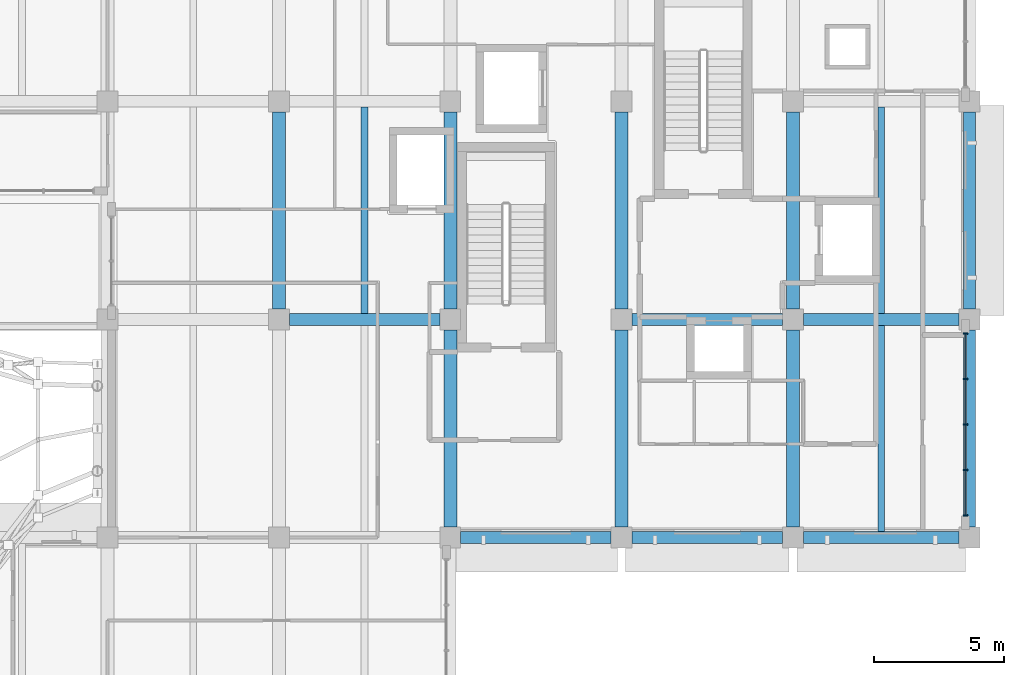
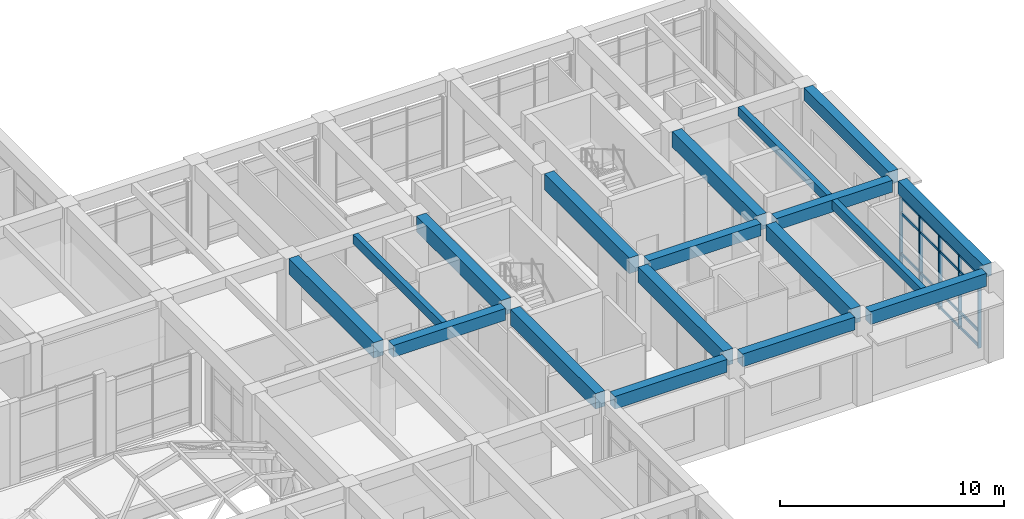
# One storey, part 28 of 79: 18 beams, 9 members, 1 element without a shape of its own.
"""IFC4 building model written with IfcOpenShell, lengths in metres."""

from ifc_helpers import new_model, si_unit, direction, frame, origin, origin_2d, place, context, subcontext, project, spatial, rectangle, extrude, material, layer, layer_set, material_profile, profile_set, type_object, element, aggregate, save


model = new_model("IFC4")

# Units and contexts
model_context = context("Model", 3, precision=1e-05, world=origin(), true_north=direction((0.0, 1.0)))
body_context = subcontext(model_context, "Body", "Model", "MODEL_VIEW")
ifc_project = project(units=[si_unit("LENGTHUNIT", "METRE"), si_unit("AREAUNIT", "SQUARE_METRE"), si_unit("VOLUMEUNIT", "CUBIC_METRE"), si_unit("PLANEANGLEUNIT", "RADIAN"), si_unit("MASSUNIT", "GRAM", prefix="KILO")], contexts=[model_context])

# Site, building, storey
site_placement = place(None, origin())
site = spatial("IfcSite", under=ifc_project, at=site_placement, CompositionType="ELEMENT")
building_placement = place(site_placement, origin())
building = spatial("IfcBuilding", under=site, at=building_placement, Name="Kolvaren Faculty of Natural Sciences", CompositionType="ELEMENT")
storey_placement = place(building_placement, frame((0.0, 0.0, 10.199951171875)))
storey = spatial("IfcBuildingStorey", under=building, at=storey_placement, Name="L02", CompositionType="ELEMENT", Elevation=10.199951171875)

# Curtain wall, members
ifc_material_1 = material(Name="Thermally broken anodised aluminium framing", Category="aluminium")
ifc_layer = layer(ifc_material_1, 0.179931640625)
ifc_layer_set = layer_set([ifc_layer], Name="Thermally broken anodised aluminium framing")
curtain_wall_type = type_object("IfcCurtainWallType", Name="TowerNorthCurtainWall_CW03", PredefinedType="NOTDEFINED", material=ifc_layer_set)
curtain_wall_placement = place(storey_placement, origin())
curtain_wall = element("IfcCurtainWall", 1, at=curtain_wall_placement, inside=storey, type_object=curtain_wall_type, Name="L02 unitised curtain wall CW-03 (CW-L02-103)", PredefinedType="NOTDEFINED")
ifc_material_profile_1 = material_profile(ifc_material_1, rectangle(XDim=0.06005859375, YDim=0.179931640625, at=origin_2d()), Name="ALU MUL 60x180")
ifc_profile_set_1 = profile_set([ifc_material_profile_1], Name="Thermally broken anodised aluminium framing")
member_type_1 = type_object("IfcMemberType", Name="CurtainMullion_60x180", PredefinedType="MULLION", material=ifc_profile_set_1)
member_1_placement = place(storey_placement, frame((171.85009765625, 66.85009765625, 0.0), z_axis=(0.0, 0.0, 1.0), x_axis=(0.0, -1.0, 0.0)))
member_1 = element("IfcMember", 2, at=member_1_placement, type_object=member_type_1, Name="CW-L02-103 vertical mullion 1", PredefinedType="MULLION", context=body_context, shape_type="SweptSolid", body=[
    extrude(rectangle(XDim=0.06005859375, YDim=0.179931640625, at=origin_2d()), origin(), (0.0, 0.0, 1.0), 4.0849609375),
])
member_2_placement = place(storey_placement, frame((171.85009765625, 65.10009765625, 0.0), z_axis=(0.0, 0.0, 1.0), x_axis=(0.0, -1.0, 0.0)))
member_2 = element("IfcMember", 3, at=member_2_placement, type_object=member_type_1, Name="CW-L02-103 vertical mullion 2", PredefinedType="MULLION", context=body_context, shape_type="SweptSolid", body=[
    extrude(rectangle(XDim=0.06005859375, YDim=0.179931640625, at=origin_2d()), origin(), (0.0, 0.0, 1.0), 4.0849609375),
])
member_3_placement = place(storey_placement, frame((171.85009765625, 63.35009765625, 0.0), z_axis=(0.0, 0.0, 1.0), x_axis=(0.0, -1.0, 0.0)))
member_3 = element("IfcMember", 4, at=member_3_placement, type_object=member_type_1, Name="CW-L02-103 vertical mullion 3", PredefinedType="MULLION", context=body_context, shape_type="SweptSolid", body=[
    extrude(rectangle(XDim=0.06005859375, YDim=0.179931640625, at=origin_2d()), origin(), (0.0, 0.0, 1.0), 4.0849609375),
])
member_4_placement = place(storey_placement, frame((171.85009765625, 61.60009765625, 0.0), z_axis=(0.0, 0.0, 1.0), x_axis=(0.0, -1.0, 0.0)))
member_4 = element("IfcMember", 5, at=member_4_placement, type_object=member_type_1, Name="CW-L02-103 vertical mullion 4", PredefinedType="MULLION", context=body_context, shape_type="SweptSolid", body=[
    extrude(rectangle(XDim=0.06005859375, YDim=0.179931640625, at=origin_2d()), origin(), (0.0, 0.0, 1.0), 4.0849609375),
])
member_5_placement = place(storey_placement, frame((171.85009765625, 59.85009765625, 0.0), z_axis=(0.0, 0.0, 1.0), x_axis=(0.0, -1.0, 0.0)))
member_5 = element("IfcMember", 6, at=member_5_placement, type_object=member_type_1, Name="CW-L02-103 vertical mullion 5", PredefinedType="MULLION", context=body_context, shape_type="SweptSolid", body=[
    extrude(rectangle(XDim=0.06005859375, YDim=0.179931640625, at=origin_2d()), origin(), (0.0, 0.0, 1.0), 4.0849609375),
])
ifc_material_profile_2 = material_profile(ifc_material_1, rectangle(XDim=0.06005859375, YDim=0.139892578125, at=origin_2d()), Name="ALU TRN 60x140")
ifc_profile_set_2 = profile_set([ifc_material_profile_2], Name="Thermally broken anodised aluminium framing")
member_type_2 = type_object("IfcMemberType", Name="CurtainTransom_60x140", PredefinedType="USERDEFINED", material=ifc_profile_set_2)
member_6_placement = place(storey_placement, frame((171.85009765625, 66.85009765625, 0.080078125), z_axis=(0.0, -1.0, 0.0), x_axis=(1.0, 0.0, 0.0)))
member_6 = element("IfcMember", 7, at=member_6_placement, type_object=member_type_2, Name="CW-L02-103 horizontal transom 1", ObjectType="TRANSOM", PredefinedType="USERDEFINED", context=body_context, shape_type="SweptSolid", body=[
    extrude(rectangle(XDim=0.06005859375, YDim=0.139892578125, at=origin_2d()), origin(), (0.0, 0.0, 1.0), 7.0),
])
member_7_placement = place(storey_placement, frame((171.85009765625, 66.85009765625, 0.900146484375), z_axis=(0.0, -1.0, 0.0), x_axis=(1.0, 0.0, 0.0)))
member_7 = element("IfcMember", 8, at=member_7_placement, type_object=member_type_2, Name="CW-L02-103 horizontal transom 2", ObjectType="TRANSOM", PredefinedType="USERDEFINED", context=body_context, shape_type="SweptSolid", body=[
    extrude(rectangle(XDim=0.06005859375, YDim=0.139892578125, at=origin_2d()), origin(), (0.0, 0.0, 1.0), 7.0),
])
member_8_placement = place(storey_placement, frame((171.85009765625, 66.85009765625, 3.135009765625), z_axis=(0.0, -1.0, 0.0), x_axis=(1.0, 0.0, 0.0)))
member_8 = element("IfcMember", 9, at=member_8_placement, type_object=member_type_2, Name="CW-L02-103 horizontal transom 3", ObjectType="TRANSOM", PredefinedType="USERDEFINED", context=body_context, shape_type="SweptSolid", body=[
    extrude(rectangle(XDim=0.06005859375, YDim=0.139892578125, at=origin_2d()), origin(), (0.0, 0.0, 1.0), 7.0),
])
member_9_placement = place(storey_placement, frame((171.85009765625, 66.85009765625, 4.005126953125), z_axis=(0.0, -1.0, 0.0), x_axis=(1.0, 0.0, 0.0)))
member_9 = element("IfcMember", 10, at=member_9_placement, type_object=member_type_2, Name="CW-L02-103 horizontal transom 4", ObjectType="TRANSOM", PredefinedType="USERDEFINED", context=body_context, shape_type="SweptSolid", body=[
    extrude(rectangle(XDim=0.06005859375, YDim=0.139892578125, at=origin_2d()), origin(), (0.0, 0.0, 1.0), 7.0),
])
aggregate(curtain_wall, [member_1, member_2, member_3, member_4, member_5, member_6, member_7, member_8, member_9])

# Beams
ifc_material_2 = material(Name="Concrete C35/45", Category="concrete")
ifc_material_profile_3 = material_profile(ifc_material_2, rectangle(XDim=0.449951171875, YDim=0.64990234375, at=origin_2d()), Name="RC BM 450x650")
ifc_profile_set_3 = profile_set([ifc_material_profile_3], Name="Concrete C35/45")
beam_type_1 = type_object("IfcBeamType", Name="GridBeam_450x650", PredefinedType="BEAM", material=ifc_profile_set_3)
for number, where, z_axis, x_axis, name in (
    (11, (145.800048828125, 67.39990234375, 4.47509765625), (1.0, 0.0, 0.0), (0.0, 1.0, 0.0), "L02 beam BM-65 on grid J"),
    (12, (159.0, 67.39990234375, 4.47509765625), (1.0, 0.0, 0.0), (0.0, 1.0, 0.0), "L02 beam BM-65 on grid J"),
):
    element("IfcBeam", number, at=place(storey_placement, frame(where, z_axis=z_axis, x_axis=x_axis)), inside=storey, type_object=beam_type_1, Name=name, PredefinedType="BEAM", context=body_context, shape_type="SweptSolid", body=[
        extrude(rectangle(XDim=0.449951171875, YDim=0.64990234375, at=origin_2d()), origin(), (0.0, 0.0, 1.0), 5.800048828125),
    ])
beam_1_placement = place(storey_placement, frame((165.60009765625, 67.39990234375, 4.47509765625), z_axis=(1.0, 0.0, 0.0), x_axis=(0.0, 1.0, 0.0)))
element("IfcBeam", 13, at=beam_1_placement, inside=storey, type_object=beam_type_1, Name="L02 beam BM-65 on grid J", PredefinedType="BEAM", context=body_context, shape_type="SweptSolid", body=[
    extrude(rectangle(XDim=0.449951171875, YDim=0.64990234375, at=origin_2d()), origin(), (0.0, 0.0, 1.0), 6.0),
])
ifc_material_profile_4 = material_profile(ifc_material_2, rectangle(XDim=0.260009765625, YDim=0.5, at=origin_2d()), Name="RC JST 260x500")
ifc_profile_set_4 = profile_set([ifc_material_profile_4], Name="Concrete C35/45")
beam_type_2 = type_object("IfcBeamType", Name="LabRibJoist_260x500", PredefinedType="JOIST", material=ifc_profile_set_4)
for number, where, z_axis, x_axis, name in (
    (14, (148.699951171875, 67.625, 4.550048828125), (0.0, 1.0, 0.0), (-1.0, 0.0, 0.0), "L02 ribbed laboratory slab joist JS-50"),
    (15, (168.60009765625, 59.22509765625, 4.550048828125), (0.0, 1.0, 0.0), (-1.0, 0.0, 0.0), "L02 ribbed laboratory slab joist JS-50"),
    (16, (168.60009765625, 67.625, 4.550048828125), (0.0, 1.0, 0.0), (-1.0, 0.0, 0.0), "L02 ribbed laboratory slab joist JS-50"),
):
    element("IfcBeam", number, at=place(storey_placement, frame(where, z_axis=z_axis, x_axis=x_axis)), inside=storey, type_object=beam_type_2, Name=name, PredefinedType="JOIST", context=body_context, shape_type="SweptSolid", body=[
        extrude(rectangle(XDim=0.260009765625, YDim=0.5, at=origin_2d()), origin(), (0.0, 0.0, 1.0), 7.949951171875),
    ])
ifc_material_profile_5 = material_profile(ifc_material_2, rectangle(XDim=0.449951171875, YDim=0.699951171875, at=origin_2d()), Name="RC SP 450x700")
ifc_profile_set_5 = profile_set([ifc_material_profile_5], Name="Concrete C35/45")
beam_type_3 = type_object("IfcBeamType", Name="PerimeterSpandrel_450x700", PredefinedType="SPANDREL", material=ifc_profile_set_5)
for number, where, z_axis, x_axis, name in (
    (17, (152.39990234375, 59.0, 4.449951171875), (1.0, 0.0, 0.0), (0.0, 1.0, 0.0), "L02 spandrel SP-70 on grid H"),
    (18, (159.0, 59.0, 4.449951171875), (1.0, 0.0, 0.0), (0.0, 1.0, 0.0), "L02 spandrel SP-70 on grid H"),
):
    element("IfcBeam", number, at=place(storey_placement, frame(where, z_axis=z_axis, x_axis=x_axis)), inside=storey, type_object=beam_type_3, Name=name, PredefinedType="SPANDREL", context=body_context, shape_type="SweptSolid", body=[
        extrude(rectangle(XDim=0.449951171875, YDim=0.699951171875, at=origin_2d()), origin(), (0.0, 0.0, 1.0), 5.800048828125),
    ])
beam_2_placement = place(storey_placement, frame((165.60009765625, 59.0, 4.449951171875), z_axis=(1.0, 0.0, 0.0), x_axis=(0.0, 1.0, 0.0)))
element("IfcBeam", 19, at=beam_2_placement, inside=storey, type_object=beam_type_3, Name="L02 spandrel SP-70 on grid H", PredefinedType="SPANDREL", context=body_context, shape_type="SweptSolid", body=[
    extrude(rectangle(XDim=0.449951171875, YDim=0.699951171875, at=origin_2d()), origin(), (0.0, 0.0, 1.0), 6.0),
])
beam_3_placement = place(storey_placement, frame((172.0, 59.39990234375, 4.449951171875), z_axis=(0.0, 1.0, 0.0), x_axis=(-1.0, 0.0, 0.0)))
element("IfcBeam", 20, at=beam_3_placement, inside=storey, type_object=beam_type_3, Name="L02 girder SP-70 on grid 27", PredefinedType="SPANDREL", context=body_context, shape_type="SweptSolid", body=[
    extrude(rectangle(XDim=0.449951171875, YDim=0.699951171875, at=origin_2d()), origin(), (0.0, 0.0, 1.0), 7.60009765625),
])
beam_4_placement = place(storey_placement, frame((172.0, 67.800048828125, 4.449951171875), z_axis=(0.0, 1.0, 0.0), x_axis=(-1.0, 0.0, 0.0)))
element("IfcBeam", 21, at=beam_4_placement, inside=storey, type_object=beam_type_3, Name="L02 girder SP-70 on grid 27", PredefinedType="SPANDREL", context=body_context, shape_type="SweptSolid", body=[
    extrude(rectangle(XDim=0.449951171875, YDim=0.699951171875, at=origin_2d()), origin(), (0.0, 0.0, 1.0), 7.599853515625),
])
ifc_material_profile_6 = material_profile(ifc_material_2, rectangle(XDim=0.5, YDim=0.85009765625, at=origin_2d()), Name="RC BM 500x850")
ifc_profile_set_6 = profile_set([ifc_material_profile_6], Name="Concrete C35/45")
beam_type_4 = type_object("IfcBeamType", Name="PrimaryGirder_500x850", PredefinedType="BEAM", material=ifc_profile_set_6)
beam_5_placement = place(storey_placement, frame((145.39990234375, 67.800048828125, 4.375), z_axis=(0.0, 1.0, 0.0), x_axis=(-1.0, 0.0, 0.0)))
element("IfcBeam", 22, at=beam_5_placement, inside=storey, type_object=beam_type_4, Name="L02 girder BG-85 on grid 23", PredefinedType="BEAM", context=body_context, shape_type="SweptSolid", body=[
    extrude(rectangle(XDim=0.5, YDim=0.85009765625, at=origin_2d()), origin(), (0.0, 0.0, 1.0), 7.599853515625),
])
beam_6_placement = place(storey_placement, frame((152.0, 59.39990234375, 4.375), z_axis=(0.0, 1.0, 0.0), x_axis=(-1.0, 0.0, 0.0)))
element("IfcBeam", 23, at=beam_6_placement, inside=storey, type_object=beam_type_4, Name="L02 girder BG-85 on grid 24", PredefinedType="BEAM", context=body_context, shape_type="SweptSolid", body=[
    extrude(rectangle(XDim=0.5, YDim=0.85009765625, at=origin_2d()), origin(), (0.0, 0.0, 1.0), 7.60009765625),
])
beam_7_placement = place(storey_placement, frame((152.0, 67.800048828125, 4.375), z_axis=(0.0, 1.0, 0.0), x_axis=(-1.0, 0.0, 0.0)))
element("IfcBeam", 24, at=beam_7_placement, inside=storey, type_object=beam_type_4, Name="L02 girder BG-85 on grid 24", PredefinedType="BEAM", context=body_context, shape_type="SweptSolid", body=[
    extrude(rectangle(XDim=0.5, YDim=0.85009765625, at=origin_2d()), origin(), (0.0, 0.0, 1.0), 7.599853515625),
])
beam_8_placement = place(storey_placement, frame((158.60009765625, 59.39990234375, 4.375), z_axis=(0.0, 1.0, 0.0), x_axis=(-1.0, 0.0, 0.0)))
element("IfcBeam", 25, at=beam_8_placement, inside=storey, type_object=beam_type_4, Name="L02 girder BG-85 on grid 25", PredefinedType="BEAM", context=body_context, shape_type="SweptSolid", body=[
    extrude(rectangle(XDim=0.5, YDim=0.85009765625, at=origin_2d()), origin(), (0.0, 0.0, 1.0), 7.60009765625),
])
beam_9_placement = place(storey_placement, frame((158.60009765625, 67.800048828125, 4.375), z_axis=(0.0, 1.0, 0.0), x_axis=(-1.0, 0.0, 0.0)))
element("IfcBeam", 26, at=beam_9_placement, inside=storey, type_object=beam_type_4, Name="L02 girder BG-85 on grid 25", PredefinedType="BEAM", context=body_context, shape_type="SweptSolid", body=[
    extrude(rectangle(XDim=0.5, YDim=0.85009765625, at=origin_2d()), origin(), (0.0, 0.0, 1.0), 7.599853515625),
])
beam_10_placement = place(storey_placement, frame((165.199951171875, 59.39990234375, 4.375), z_axis=(0.0, 1.0, 0.0), x_axis=(-1.0, 0.0, 0.0)))
element("IfcBeam", 27, at=beam_10_placement, inside=storey, type_object=beam_type_4, Name="L02 girder BG-85 on grid 26", PredefinedType="BEAM", context=body_context, shape_type="SweptSolid", body=[
    extrude(rectangle(XDim=0.5, YDim=0.85009765625, at=origin_2d()), origin(), (0.0, 0.0, 1.0), 7.60009765625),
])
beam_11_placement = place(storey_placement, frame((165.199951171875, 67.800048828125, 4.375), z_axis=(0.0, 1.0, 0.0), x_axis=(-1.0, 0.0, 0.0)))
element("IfcBeam", 28, at=beam_11_placement, inside=storey, type_object=beam_type_4, Name="L02 girder BG-85 on grid 26", PredefinedType="BEAM", context=body_context, shape_type="SweptSolid", body=[
    extrude(rectangle(XDim=0.5, YDim=0.85009765625, at=origin_2d()), origin(), (0.0, 0.0, 1.0), 7.599853515625),
])

save(model, "model.ifc")
